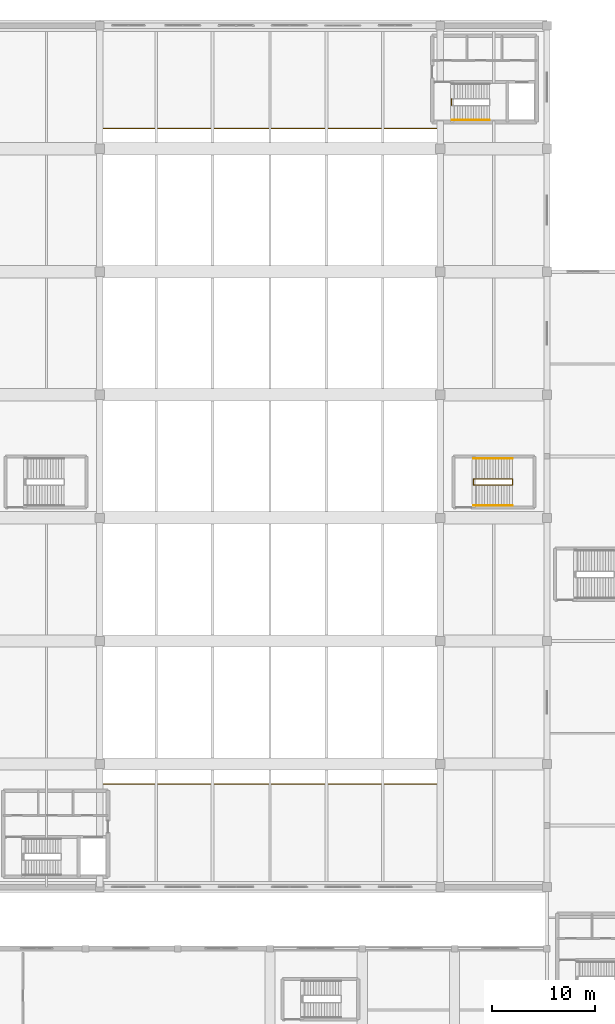
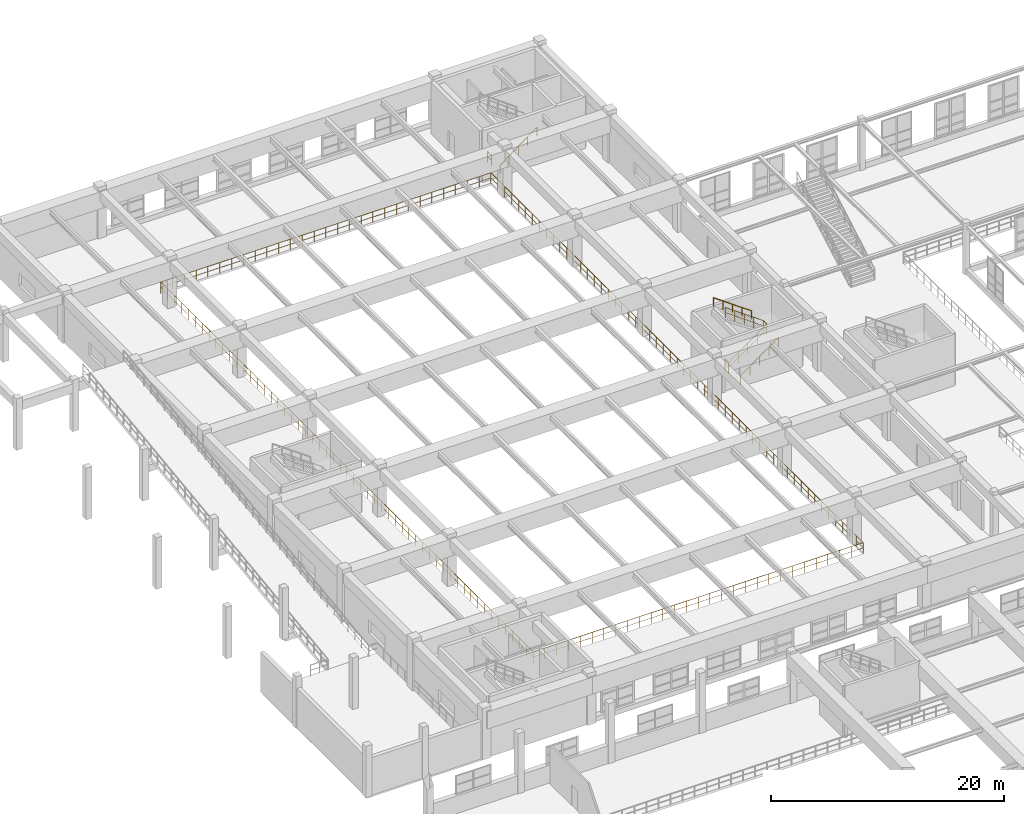
# One storey, part 191 of 197: 8 railings.
"""IFC4 building model written with IfcOpenShell, lengths in metres."""

import ifcopenshell
import ifcopenshell.guid

model = None  # the IFC model being written
_history = None  # IfcOwnerHistory: only IFC2X3 demands one
_inside = {}  # id of a spatial element -> (the spatial element, [elements in it])
_under = {}  # id of a project, library or spatial element -> (it, [spatial elements below it])
_declared = {}  # id of a project -> (the project, [libraries it declares])
_typed = {}  # id of a type object -> (the type object, [elements of that type])
_made_of = {}  # id of a material, layer set ... -> (it, [elements and type objects made of it])


def new_model(schema):
    """Start an empty IFC model of exactly this schema.

    Asked for "IFC4X3", IfcOpenShell would pick the latest addendum, in which some entities
    have other attributes; the version numbers below select the first issue.
    IFC2X3 requires an IfcOwnerHistory on every rooted entity: one is made here for all.
    """
    global model, _history
    if schema == "IFC4X3":
        model = ifcopenshell.file(schema_version=(4, 3, 0, 0))
    else:
        model = ifcopenshell.file(schema=schema)
    _inside.clear()
    _under.clear()
    _declared.clear()
    _typed.clear()
    _made_of.clear()
    _history = None
    if model.schema == "IFC2X3":
        org = make("IfcOrganization", Name="unknown")
        user = make(
            "IfcPersonAndOrganization",
            ThePerson=make("IfcPerson", FamilyName="unknown"),
            TheOrganization=org,
        )
        app = make(
            "IfcApplication",
            ApplicationDeveloper=org,
            Version="unknown",
            ApplicationFullName="unknown",
            ApplicationIdentifier="unknown",
        )
        _history = make(
            "IfcOwnerHistory",
            OwningUser=user,
            OwningApplication=app,
            ChangeAction="ADDED",
            CreationDate=0,
        )
    return model


def make(cls, **values):
    """One entity of the class cls with the attributes given. An attribute that is None is left unset."""
    return model.create_entity(
        cls, **{name: value for name, value in values.items() if value is not None}
    )


def rooted(cls, **values):
    """An entity with a GlobalId (a new one), such as an element, a storey or a relation."""
    return make(cls, GlobalId=ifcopenshell.guid.new(), OwnerHistory=_history, **values)


def si_unit(unit_type, name, prefix=None):
    """IfcSIUnit, for example si_unit("LENGTHUNIT", "METRE", prefix="MILLI")."""
    return make("IfcSIUnit", UnitType=unit_type, Prefix=prefix, Name=name)


def derived_unit(unit_type, elements):
    """IfcDerivedUnit: a product of units, each with its exponent."""
    return make(
        "IfcDerivedUnit",
        Elements=[
            make("IfcDerivedUnitElement", Unit=unit, Exponent=power)
            for unit, power in elements
        ],
        UnitType=unit_type,
    )


def assignment(units):
    """IfcUnitAssignment: the units of a project."""
    return None if units is None else make("IfcUnitAssignment", Units=units)


def point(xyz):
    """IfcCartesianPoint."""
    return None if xyz is None else make("IfcCartesianPoint", Coordinates=xyz)


def direction(xyz):
    """IfcDirection."""
    return None if xyz is None else make("IfcDirection", DirectionRatios=xyz)


def frame(location, z_axis=None, x_axis=None):
    """IfcAxis2Placement3D, a coordinate frame: its origin and axes. An axis left out is left unset."""
    return make(
        "IfcAxis2Placement3D",
        Location=point(location),
        Axis=direction(z_axis),
        RefDirection=direction(x_axis),
    )


def frame_2d(location, x_axis=None):
    """IfcAxis2Placement2D, a coordinate frame in the plane: its origin and x axis."""
    return make(
        "IfcAxis2Placement2D", Location=point(location), RefDirection=direction(x_axis)
    )


def origin():
    """The frame at (0, 0, 0) with its axes left unset."""
    return frame((0.0, 0.0, 0.0))


def origin_2d():
    """The frame at (0, 0) in the plane with its x axis left unset."""
    return frame_2d((0.0, 0.0))


def place(relative_to, where):
    """IfcLocalPlacement: puts the frame where relative to a parent placement (None: the world)."""
    return make(
        "IfcLocalPlacement", PlacementRelTo=relative_to, RelativePlacement=where
    )


def context(
    kind, dimensions, precision=None, world=None, true_north=None, identifier=None
):
    """IfcGeometricRepresentationContext, for example the 3D "Model" context."""
    return make(
        "IfcGeometricRepresentationContext",
        ContextIdentifier=identifier,
        ContextType=kind,
        CoordinateSpaceDimension=dimensions,
        Precision=precision,
        WorldCoordinateSystem=world,
        TrueNorth=true_north,
    )


def subcontext(parent, identifier, kind, view, scale=None):
    """IfcGeometricRepresentationSubContext, for example "Body" below "Model"."""
    return make(
        "IfcGeometricRepresentationSubContext",
        ContextIdentifier=identifier,
        ContextType=kind,
        ParentContext=parent,
        TargetScale=scale,
        TargetView=view,
    )


def project(units=None, contexts=None):
    """IfcProject with its units and contexts."""
    return rooted(
        "IfcProject",
        Name="project",
        RepresentationContexts=contexts,
        UnitsInContext=assignment(units),
    )


def spatial(cls, under=None, at=None, **own):
    """A site, building, storey or space (cls), placed at a placement, below another one or the project."""
    s = rooted(cls, ObjectPlacement=at, **own)
    if under is not None:
        _under.setdefault(under.id(), (under, []))[1].append(s)
    return s


def profile(cls, at=None, kind="AREA", **sizes):
    """A parametric profile (cls). Its sizes go by their IFC names, for example OverallWidth=200.0."""
    return make(cls, ProfileType=kind, Position=at, **sizes)


def circle(**sizes):
    """IfcCircleProfileDef."""
    return profile("IfcCircleProfileDef", **sizes)


def extrude(swept, where, along, depth):
    """IfcExtrudedAreaSolid: the profile swept, set in the frame where, extruded along a direction by depth."""
    return make(
        "IfcExtrudedAreaSolid",
        SweptArea=swept,
        Position=where,
        ExtrudedDirection=direction(along),
        Depth=depth,
    )


def shape(context_of_items, identifier, shape_type, items):
    """IfcShapeRepresentation: the items that make up one representation, for example the "Body"."""
    return make(
        "IfcShapeRepresentation",
        ContextOfItems=context_of_items,
        RepresentationIdentifier=identifier,
        RepresentationType=shape_type,
        Items=items,
    )


def material(Name=None, Category=None):
    """IfcMaterial."""
    return make("IfcMaterial", Name=Name, Category=Category)


def made_of(thing, what):
    """Note that an element or type object is made of a material, layer set ...; save() writes the relation."""
    if what is not None:
        _made_of.setdefault(what.id(), (what, []))[1].append(thing)
    return thing


def type_object(cls, material=None, **own):
    """A type object (cls), such as IfcWallType, which elements share."""
    return made_of(rooted(cls, **own), material)


def element(
    cls,
    number,
    at=None,
    inside=None,
    cuts=None,
    type_object=None,
    material=None,
    context=None,
    identifier="Body",
    shape_type=None,
    held_by="IfcProductDefinitionShape",
    body=None,
    shapes=None,
    **own,
):
    """One element of the class cls, such as IfcWall. Its Tag is "e" and its number.

    at: its placement. inside: the storey or other place that contains it. cuts: it is an
    opening in that element (IfcRelVoidsElement). A single representation is given by context,
    identifier, shape_type and body (its items); several are given by shapes. held_by: the class
    of the entity that holds the representations. save() writes the other relations.
    """
    e = rooted(cls, Tag="e%d" % number, ObjectPlacement=at, **own)
    if body is not None:
        shapes = [shape(context, identifier, shape_type, body)]
    if shapes is not None:
        e.Representation = make(held_by, Representations=shapes)
    if inside is not None:
        _inside.setdefault(inside.id(), (inside, []))[1].append(e)
    if cuts is not None:
        rooted(
            "IfcRelVoidsElement", RelatingBuildingElement=cuts, RelatedOpeningElement=e
        )
    if type_object is not None:
        _typed.setdefault(type_object.id(), (type_object, []))[1].append(e)
    return made_of(e, material)


def aggregate(whole, parts):
    """IfcRelAggregates: a whole, such as a stair, and the parts it consists of."""
    return rooted("IfcRelAggregates", RelatingObject=whole, RelatedObjects=parts)


def save(model, path):
    """Write the relations noted so far, then the file.

    IfcRelAggregates (storeys below a building ...), IfcRelContainedInSpatialStructure (elements
    in a storey), IfcRelDefinesByType, IfcRelAssociatesMaterial and IfcRelDeclares: one each for
    every whole, place, type object, material and project.
    """
    for whole, parts in _under.values():
        aggregate(whole, parts)
    for where, things in _inside.values():
        rooted(
            "IfcRelContainedInSpatialStructure",
            RelatedElements=things,
            RelatingStructure=where,
        )
    for kind, things in _typed.values():
        rooted("IfcRelDefinesByType", RelatedObjects=things, RelatingType=kind)
    for what, things in _made_of.values():
        rooted("IfcRelAssociatesMaterial", RelatedObjects=things, RelatingMaterial=what)
    for by, libraries in _declared.values():
        rooted("IfcRelDeclares", RelatingContext=by, RelatedDefinitions=libraries)
    model.write(path)


model = new_model("IFC4")

# Units and contexts
model_context = context("Model", 3, precision=1e-05, world=origin(), true_north=direction((0.0, 1.0)))
body_context = subcontext(model_context, "Body", "Model", "MODEL_VIEW")
ifc_project = project(units=[si_unit("LENGTHUNIT", "METRE"), si_unit("AREAUNIT", "SQUARE_METRE"), si_unit("VOLUMEUNIT", "CUBIC_METRE"), si_unit("PLANEANGLEUNIT", "RADIAN"), si_unit("MASSUNIT", "GRAM", prefix="KILO"), derived_unit("THERMALTRANSMITTANCEUNIT", [(si_unit("POWERUNIT", "WATT"), 1), (si_unit("LENGTHUNIT", "METRE"), -2), (si_unit("THERMODYNAMICTEMPERATUREUNIT", "KELVIN"), -1)])], contexts=[model_context])

# Site, building, storey
site_placement = place(None, origin())
site = spatial("IfcSite", under=ifc_project, at=site_placement, CompositionType="ELEMENT")
building_placement = place(site_placement, origin())
building = spatial("IfcBuilding", under=site, at=building_placement, Name="Almenara Railside Exhibition Hall", CompositionType="ELEMENT")
storey_placement = place(building_placement, frame((0.0, 0.0, 5.39990234375)))
storey = spatial("IfcBuildingStorey", under=building, at=storey_placement, Name="L01", CompositionType="ELEMENT", Elevation=5.39990234375)

# Railings
ifc_material_1 = material(Name="Bronze-capped laminated glass balustrade", Category="glass")
railing_type_1 = type_object("IfcRailingType", Name="Gallery Overlook Glazed Balustrade 1150mm", PredefinedType="BALUSTRADE", material=ifc_material_1)
railing_1_placement = place(storey_placement, frame((22.64990234375, 58.050048828125, 0.0)))
element("IfcRailing", 1, at=railing_1_placement, inside=storey, type_object=railing_type_1, Name="Guard balustrade 0018", PredefinedType="BALUSTRADE", context=body_context, shape_type="SweptSolid", body=[
    extrude(circle(Radius=0.02392578125, at=origin_2d()), frame((0.0, 0.0, 1.1259765625), z_axis=(1.0, 0.0, 0.0), x_axis=(0.0, 1.0, 0.0)), (0.0, 0.0, 1.0), 32.7001953125),
    extrude(circle(Radius=0.01416015625, at=origin_2d()), frame((0.0, 0.0, 0.574951171875), z_axis=(1.0, 0.0, 0.0), x_axis=(0.0, 1.0, 0.0)), (0.0, 0.0, 1.0), 32.7001953125),
    extrude(circle(Radius=0.02392578125, at=origin_2d()), frame((32.7001953125, 0.0, 1.1259765625), z_axis=(0.0, 1.0, 0.0), x_axis=(-1.0, 0.0, 0.0)), (0.0, 0.0, 1.0), 63.875),
    extrude(circle(Radius=0.01416015625, at=origin_2d()), frame((32.7001953125, 0.0, 0.574951171875), z_axis=(0.0, 1.0, 0.0), x_axis=(-1.0, 0.0, 0.0)), (0.0, 0.0, 1.0), 63.875),
    extrude(circle(Radius=0.02099609375, at=origin_2d()), origin(), (0.0, 0.0, 1.0), 1.101806640625),
    extrude(circle(Radius=0.02099609375, at=origin_2d()), frame((1.16796875, 0.0, 0.0)), (0.0, 0.0, 1.0), 1.101806640625),
    extrude(circle(Radius=0.02099609375, at=origin_2d()), frame((2.335693359375, 0.0, 0.0)), (0.0, 0.0, 1.0), 1.101806640625),
    extrude(circle(Radius=0.02099609375, at=origin_2d()), frame((3.503662109375, 0.0, 0.0)), (0.0, 0.0, 1.0), 1.101806640625),
    extrude(circle(Radius=0.02099609375, at=origin_2d()), frame((4.67138671875, 0.0, 0.0)), (0.0, 0.0, 1.0), 1.101806640625),
    extrude(circle(Radius=0.02099609375, at=origin_2d()), frame((5.83935546875, 0.0, 0.0)), (0.0, 0.0, 1.0), 1.101806640625),
    extrude(circle(Radius=0.02099609375, at=origin_2d()), frame((7.007080078125, 0.0, 0.0)), (0.0, 0.0, 1.0), 1.101806640625),
    extrude(circle(Radius=0.02099609375, at=origin_2d()), frame((8.175048828125, 0.0, 0.0)), (0.0, 0.0, 1.0), 1.101806640625),
    extrude(circle(Radius=0.02099609375, at=origin_2d()), frame((9.343017578125, 0.0, 0.0)), (0.0, 0.0, 1.0), 1.101806640625),
    extrude(circle(Radius=0.02099609375, at=origin_2d()), frame((10.5107421875, 0.0, 0.0)), (0.0, 0.0, 1.0), 1.101806640625),
    extrude(circle(Radius=0.02099609375, at=origin_2d()), frame((11.6787109375, 0.0, 0.0)), (0.0, 0.0, 1.0), 1.101806640625),
    extrude(circle(Radius=0.02099609375, at=origin_2d()), frame((12.846435546875, 0.0, 0.0)), (0.0, 0.0, 1.0), 1.101806640625),
    extrude(circle(Radius=0.02099609375, at=origin_2d()), frame((14.014404296875, 0.0, 0.0)), (0.0, 0.0, 1.0), 1.101806640625),
    extrude(circle(Radius=0.02099609375, at=origin_2d()), frame((15.18212890625, 0.0, 0.0)), (0.0, 0.0, 1.0), 1.101806640625),
    extrude(circle(Radius=0.02099609375, at=origin_2d()), frame((16.35009765625, 0.0, 0.0)), (0.0, 0.0, 1.0), 1.101806640625),
    extrude(circle(Radius=0.02099609375, at=origin_2d()), frame((17.51806640625, 0.0, 0.0)), (0.0, 0.0, 1.0), 1.101806640625),
    extrude(circle(Radius=0.02099609375, at=origin_2d()), frame((18.685791015625, 0.0, 0.0)), (0.0, 0.0, 1.0), 1.101806640625),
    extrude(circle(Radius=0.02099609375, at=origin_2d()), frame((19.853759765625, 0.0, 0.0)), (0.0, 0.0, 1.0), 1.101806640625),
    extrude(circle(Radius=0.02099609375, at=origin_2d()), frame((21.021484375, 0.0, 0.0)), (0.0, 0.0, 1.0), 1.101806640625),
    extrude(circle(Radius=0.02099609375, at=origin_2d()), frame((22.189453125, 0.0, 0.0)), (0.0, 0.0, 1.0), 1.101806640625),
    extrude(circle(Radius=0.02099609375, at=origin_2d()), frame((23.357177734375, 0.0, 0.0)), (0.0, 0.0, 1.0), 1.101806640625),
    extrude(circle(Radius=0.02099609375, at=origin_2d()), frame((24.525146484375, 0.0, 0.0)), (0.0, 0.0, 1.0), 1.101806640625),
    extrude(circle(Radius=0.02099609375, at=origin_2d()), frame((25.693115234375, 0.0, 0.0)), (0.0, 0.0, 1.0), 1.101806640625),
    extrude(circle(Radius=0.02099609375, at=origin_2d()), frame((26.86083984375, 0.0, 0.0)), (0.0, 0.0, 1.0), 1.101806640625),
    extrude(circle(Radius=0.02099609375, at=origin_2d()), frame((28.02880859375, 0.0, 0.0)), (0.0, 0.0, 1.0), 1.101806640625),
    extrude(circle(Radius=0.02099609375, at=origin_2d()), frame((29.196533203125, 0.0, 0.0)), (0.0, 0.0, 1.0), 1.101806640625),
    extrude(circle(Radius=0.02099609375, at=origin_2d()), frame((30.364501953125, 0.0, 0.0)), (0.0, 0.0, 1.0), 1.101806640625),
    extrude(circle(Radius=0.02099609375, at=origin_2d()), frame((31.5322265625, 0.0, 0.0)), (0.0, 0.0, 1.0), 1.101806640625),
    extrude(circle(Radius=0.02099609375, at=origin_2d()), frame((32.7001953125, 0.0, 0.0)), (0.0, 0.0, 1.0), 1.101806640625),
    extrude(circle(Radius=0.02099609375, at=origin_2d()), frame((32.7001953125, 1.182861328125, 0.0)), (0.0, 0.0, 1.0), 1.101806640625),
    extrude(circle(Radius=0.02099609375, at=origin_2d()), frame((32.7001953125, 2.36572265625, 0.0)), (0.0, 0.0, 1.0), 1.101806640625),
    extrude(circle(Radius=0.02099609375, at=origin_2d()), frame((32.7001953125, 3.548583984375, 0.0)), (0.0, 0.0, 1.0), 1.101806640625),
    extrude(circle(Radius=0.02099609375, at=origin_2d()), frame((32.7001953125, 4.7314453125, 0.0)), (0.0, 0.0, 1.0), 1.101806640625),
    extrude(circle(Radius=0.02099609375, at=origin_2d()), frame((32.7001953125, 5.914306640625, 0.0)), (0.0, 0.0, 1.0), 1.101806640625),
    extrude(circle(Radius=0.02099609375, at=origin_2d()), frame((32.7001953125, 7.09716796875, 0.0)), (0.0, 0.0, 1.0), 1.101806640625),
    extrude(circle(Radius=0.02099609375, at=origin_2d()), frame((32.7001953125, 8.280029296875, 0.0)), (0.0, 0.0, 1.0), 1.101806640625),
    extrude(circle(Radius=0.02099609375, at=origin_2d()), frame((32.7001953125, 9.462890625, 0.0)), (0.0, 0.0, 1.0), 1.101806640625),
    extrude(circle(Radius=0.02099609375, at=origin_2d()), frame((32.7001953125, 10.645751953125, 0.0)), (0.0, 0.0, 1.0), 1.101806640625),
    extrude(circle(Radius=0.02099609375, at=origin_2d()), frame((32.7001953125, 11.82861328125, 0.0)), (0.0, 0.0, 1.0), 1.101806640625),
    extrude(circle(Radius=0.02099609375, at=origin_2d()), frame((32.7001953125, 13.011474609375, 0.0)), (0.0, 0.0, 1.0), 1.101806640625),
    extrude(circle(Radius=0.02099609375, at=origin_2d()), frame((32.7001953125, 14.1943359375, 0.0)), (0.0, 0.0, 1.0), 1.101806640625),
    extrude(circle(Radius=0.02099609375, at=origin_2d()), frame((32.7001953125, 15.377197265625, 0.0)), (0.0, 0.0, 1.0), 1.101806640625),
    extrude(circle(Radius=0.02099609375, at=origin_2d()), frame((32.7001953125, 16.560302734375, 0.0)), (0.0, 0.0, 1.0), 1.101806640625),
    extrude(circle(Radius=0.02099609375, at=origin_2d()), frame((32.7001953125, 17.7431640625, 0.0)), (0.0, 0.0, 1.0), 1.101806640625),
    extrude(circle(Radius=0.02099609375, at=origin_2d()), frame((32.7001953125, 18.926025390625, 0.0)), (0.0, 0.0, 1.0), 1.101806640625),
    extrude(circle(Radius=0.02099609375, at=origin_2d()), frame((32.7001953125, 20.10888671875, 0.0)), (0.0, 0.0, 1.0), 1.101806640625),
    extrude(circle(Radius=0.02099609375, at=origin_2d()), frame((32.7001953125, 21.291748046875, 0.0)), (0.0, 0.0, 1.0), 1.101806640625),
    extrude(circle(Radius=0.02099609375, at=origin_2d()), frame((32.7001953125, 22.474609375, 0.0)), (0.0, 0.0, 1.0), 1.101806640625),
    extrude(circle(Radius=0.02099609375, at=origin_2d()), frame((32.7001953125, 23.657470703125, 0.0)), (0.0, 0.0, 1.0), 1.101806640625),
    extrude(circle(Radius=0.02099609375, at=origin_2d()), frame((32.7001953125, 24.84033203125, 0.0)), (0.0, 0.0, 1.0), 1.101806640625),
    extrude(circle(Radius=0.02099609375, at=origin_2d()), frame((32.7001953125, 26.023193359375, 0.0)), (0.0, 0.0, 1.0), 1.101806640625),
    extrude(circle(Radius=0.02099609375, at=origin_2d()), frame((32.7001953125, 27.2060546875, 0.0)), (0.0, 0.0, 1.0), 1.101806640625),
    extrude(circle(Radius=0.02099609375, at=origin_2d()), frame((32.7001953125, 28.388916015625, 0.0)), (0.0, 0.0, 1.0), 1.101806640625),
    extrude(circle(Radius=0.02099609375, at=origin_2d()), frame((32.7001953125, 29.57177734375, 0.0)), (0.0, 0.0, 1.0), 1.101806640625),
    extrude(circle(Radius=0.02099609375, at=origin_2d()), frame((32.7001953125, 30.754638671875, 0.0)), (0.0, 0.0, 1.0), 1.101806640625),
    extrude(circle(Radius=0.02099609375, at=origin_2d()), frame((32.7001953125, 31.9375, 0.0)), (0.0, 0.0, 1.0), 1.101806640625),
    extrude(circle(Radius=0.02099609375, at=origin_2d()), frame((32.7001953125, 33.120361328125, 0.0)), (0.0, 0.0, 1.0), 1.101806640625),
    extrude(circle(Radius=0.02099609375, at=origin_2d()), frame((32.7001953125, 34.30322265625, 0.0)), (0.0, 0.0, 1.0), 1.101806640625),
    extrude(circle(Radius=0.02099609375, at=origin_2d()), frame((32.7001953125, 35.486083984375, 0.0)), (0.0, 0.0, 1.0), 1.101806640625),
    extrude(circle(Radius=0.02099609375, at=origin_2d()), frame((32.7001953125, 36.6689453125, 0.0)), (0.0, 0.0, 1.0), 1.101806640625),
    extrude(circle(Radius=0.02099609375, at=origin_2d()), frame((32.7001953125, 37.851806640625, 0.0)), (0.0, 0.0, 1.0), 1.101806640625),
    extrude(circle(Radius=0.02099609375, at=origin_2d()), frame((32.7001953125, 39.03466796875, 0.0)), (0.0, 0.0, 1.0), 1.101806640625),
    extrude(circle(Radius=0.02099609375, at=origin_2d()), frame((32.7001953125, 40.217529296875, 0.0)), (0.0, 0.0, 1.0), 1.101806640625),
    extrude(circle(Radius=0.02099609375, at=origin_2d()), frame((32.7001953125, 41.400390625, 0.0)), (0.0, 0.0, 1.0), 1.101806640625),
    extrude(circle(Radius=0.02099609375, at=origin_2d()), frame((32.7001953125, 42.583251953125, 0.0)), (0.0, 0.0, 1.0), 1.101806640625),
    extrude(circle(Radius=0.02099609375, at=origin_2d()), frame((32.7001953125, 43.76611328125, 0.0)), (0.0, 0.0, 1.0), 1.101806640625),
    extrude(circle(Radius=0.02099609375, at=origin_2d()), frame((32.7001953125, 44.948974609375, 0.0)), (0.0, 0.0, 1.0), 1.101806640625),
    extrude(circle(Radius=0.02099609375, at=origin_2d()), frame((32.7001953125, 46.1318359375, 0.0)), (0.0, 0.0, 1.0), 1.101806640625),
    extrude(circle(Radius=0.02099609375, at=origin_2d()), frame((32.7001953125, 47.314697265625, 0.0)), (0.0, 0.0, 1.0), 1.101806640625),
    extrude(circle(Radius=0.02099609375, at=origin_2d()), frame((32.7001953125, 48.497802734375, 0.0)), (0.0, 0.0, 1.0), 1.101806640625),
    extrude(circle(Radius=0.02099609375, at=origin_2d()), frame((32.7001953125, 49.6806640625, 0.0)), (0.0, 0.0, 1.0), 1.101806640625),
    extrude(circle(Radius=0.02099609375, at=origin_2d()), frame((32.7001953125, 50.863525390625, 0.0)), (0.0, 0.0, 1.0), 1.101806640625),
    extrude(circle(Radius=0.02099609375, at=origin_2d()), frame((32.7001953125, 52.04638671875, 0.0)), (0.0, 0.0, 1.0), 1.101806640625),
    extrude(circle(Radius=0.02099609375, at=origin_2d()), frame((32.7001953125, 53.229248046875, 0.0)), (0.0, 0.0, 1.0), 1.101806640625),
    extrude(circle(Radius=0.02099609375, at=origin_2d()), frame((32.7001953125, 54.412109375, 0.0)), (0.0, 0.0, 1.0), 1.101806640625),
    extrude(circle(Radius=0.02099609375, at=origin_2d()), frame((32.7001953125, 55.594970703125, 0.0)), (0.0, 0.0, 1.0), 1.101806640625),
    extrude(circle(Radius=0.02099609375, at=origin_2d()), frame((32.7001953125, 56.77783203125, 0.0)), (0.0, 0.0, 1.0), 1.101806640625),
    extrude(circle(Radius=0.02099609375, at=origin_2d()), frame((32.7001953125, 57.960693359375, 0.0)), (0.0, 0.0, 1.0), 1.101806640625),
    extrude(circle(Radius=0.02099609375, at=origin_2d()), frame((32.7001953125, 59.1435546875, 0.0)), (0.0, 0.0, 1.0), 1.101806640625),
    extrude(circle(Radius=0.02099609375, at=origin_2d()), frame((32.7001953125, 60.326416015625, 0.0)), (0.0, 0.0, 1.0), 1.101806640625),
    extrude(circle(Radius=0.02099609375, at=origin_2d()), frame((32.7001953125, 61.50927734375, 0.0)), (0.0, 0.0, 1.0), 1.101806640625),
    extrude(circle(Radius=0.02099609375, at=origin_2d()), frame((32.7001953125, 62.692138671875, 0.0)), (0.0, 0.0, 1.0), 1.101806640625),
    extrude(circle(Radius=0.02099609375, at=origin_2d()), frame((32.7001953125, 63.875, 0.0)), (0.0, 0.0, 1.0), 1.101806640625),
])
railing_2_placement = place(storey_placement, frame((55.35009765625, 121.949951171875, 0.0)))
element("IfcRailing", 2, at=railing_2_placement, inside=storey, type_object=railing_type_1, Name="Guard balustrade 0019", PredefinedType="BALUSTRADE", context=body_context, shape_type="SweptSolid", body=[
    extrude(circle(Radius=0.02392578125, at=origin_2d()), frame((0.0, 0.0, 1.1259765625), z_axis=(-1.0, 0.0, 0.0), x_axis=(0.0, -1.0, 0.0)), (0.0, 0.0, 1.0), 32.7001953125),
    extrude(circle(Radius=0.01416015625, at=origin_2d()), frame((0.0, 0.0, 0.574951171875), z_axis=(-1.0, 0.0, 0.0), x_axis=(0.0, -1.0, 0.0)), (0.0, 0.0, 1.0), 32.7001953125),
    extrude(circle(Radius=0.02392578125, at=origin_2d()), frame((-32.7001953125, 0.0, 1.1259765625), z_axis=(0.0, -1.0, 0.0), x_axis=(1.0, 0.0, 0.0)), (0.0, 0.0, 1.0), 63.875),
    extrude(circle(Radius=0.01416015625, at=origin_2d()), frame((-32.7001953125, 0.0, 0.574951171875), z_axis=(0.0, -1.0, 0.0), x_axis=(1.0, 0.0, 0.0)), (0.0, 0.0, 1.0), 63.875),
    extrude(circle(Radius=0.02099609375, at=origin_2d()), origin(), (0.0, 0.0, 1.0), 1.101806640625),
    extrude(circle(Radius=0.02099609375, at=origin_2d()), frame((-1.16796875, 0.0, 0.0)), (0.0, 0.0, 1.0), 1.101806640625),
    extrude(circle(Radius=0.02099609375, at=origin_2d()), frame((-2.335693359375, 0.0, 0.0)), (0.0, 0.0, 1.0), 1.101806640625),
    extrude(circle(Radius=0.02099609375, at=origin_2d()), frame((-3.503662109375, 0.0, 0.0)), (0.0, 0.0, 1.0), 1.101806640625),
    extrude(circle(Radius=0.02099609375, at=origin_2d()), frame((-4.67138671875, 0.0, 0.0)), (0.0, 0.0, 1.0), 1.101806640625),
    extrude(circle(Radius=0.02099609375, at=origin_2d()), frame((-5.83935546875, 0.0, 0.0)), (0.0, 0.0, 1.0), 1.101806640625),
    extrude(circle(Radius=0.02099609375, at=origin_2d()), frame((-7.007080078125, 0.0, 0.0)), (0.0, 0.0, 1.0), 1.101806640625),
    extrude(circle(Radius=0.02099609375, at=origin_2d()), frame((-8.175048828125, 0.0, 0.0)), (0.0, 0.0, 1.0), 1.101806640625),
    extrude(circle(Radius=0.02099609375, at=origin_2d()), frame((-9.343017578125, 0.0, 0.0)), (0.0, 0.0, 1.0), 1.101806640625),
    extrude(circle(Radius=0.02099609375, at=origin_2d()), frame((-10.5107421875, 0.0, 0.0)), (0.0, 0.0, 1.0), 1.101806640625),
    extrude(circle(Radius=0.02099609375, at=origin_2d()), frame((-11.6787109375, 0.0, 0.0)), (0.0, 0.0, 1.0), 1.101806640625),
    extrude(circle(Radius=0.02099609375, at=origin_2d()), frame((-12.846435546875, 0.0, 0.0)), (0.0, 0.0, 1.0), 1.101806640625),
    extrude(circle(Radius=0.02099609375, at=origin_2d()), frame((-14.014404296875, 0.0, 0.0)), (0.0, 0.0, 1.0), 1.101806640625),
    extrude(circle(Radius=0.02099609375, at=origin_2d()), frame((-15.18212890625, 0.0, 0.0)), (0.0, 0.0, 1.0), 1.101806640625),
    extrude(circle(Radius=0.02099609375, at=origin_2d()), frame((-16.35009765625, 0.0, 0.0)), (0.0, 0.0, 1.0), 1.101806640625),
    extrude(circle(Radius=0.02099609375, at=origin_2d()), frame((-17.51806640625, 0.0, 0.0)), (0.0, 0.0, 1.0), 1.101806640625),
    extrude(circle(Radius=0.02099609375, at=origin_2d()), frame((-18.685791015625, 0.0, 0.0)), (0.0, 0.0, 1.0), 1.101806640625),
    extrude(circle(Radius=0.02099609375, at=origin_2d()), frame((-19.853759765625, 0.0, 0.0)), (0.0, 0.0, 1.0), 1.101806640625),
    extrude(circle(Radius=0.02099609375, at=origin_2d()), frame((-21.021484375, 0.0, 0.0)), (0.0, 0.0, 1.0), 1.101806640625),
    extrude(circle(Radius=0.02099609375, at=origin_2d()), frame((-22.189453125, 0.0, 0.0)), (0.0, 0.0, 1.0), 1.101806640625),
    extrude(circle(Radius=0.02099609375, at=origin_2d()), frame((-23.357177734375, 0.0, 0.0)), (0.0, 0.0, 1.0), 1.101806640625),
    extrude(circle(Radius=0.02099609375, at=origin_2d()), frame((-24.525146484375, 0.0, 0.0)), (0.0, 0.0, 1.0), 1.101806640625),
    extrude(circle(Radius=0.02099609375, at=origin_2d()), frame((-25.693115234375, 0.0, 0.0)), (0.0, 0.0, 1.0), 1.101806640625),
    extrude(circle(Radius=0.02099609375, at=origin_2d()), frame((-26.86083984375, 0.0, 0.0)), (0.0, 0.0, 1.0), 1.101806640625),
    extrude(circle(Radius=0.02099609375, at=origin_2d()), frame((-28.02880859375, 0.0, 0.0)), (0.0, 0.0, 1.0), 1.101806640625),
    extrude(circle(Radius=0.02099609375, at=origin_2d()), frame((-29.196533203125, 0.0, 0.0)), (0.0, 0.0, 1.0), 1.101806640625),
    extrude(circle(Radius=0.02099609375, at=origin_2d()), frame((-30.364501953125, 0.0, 0.0)), (0.0, 0.0, 1.0), 1.101806640625),
    extrude(circle(Radius=0.02099609375, at=origin_2d()), frame((-31.5322265625, 0.0, 0.0)), (0.0, 0.0, 1.0), 1.101806640625),
    extrude(circle(Radius=0.02099609375, at=origin_2d()), frame((-32.7001953125, 0.0, 0.0)), (0.0, 0.0, 1.0), 1.101806640625),
    extrude(circle(Radius=0.02099609375, at=origin_2d()), frame((-32.7001953125, -1.182861328125, 0.0)), (0.0, 0.0, 1.0), 1.101806640625),
    extrude(circle(Radius=0.02099609375, at=origin_2d()), frame((-32.7001953125, -2.36572265625, 0.0)), (0.0, 0.0, 1.0), 1.101806640625),
    extrude(circle(Radius=0.02099609375, at=origin_2d()), frame((-32.7001953125, -3.548583984375, 0.0)), (0.0, 0.0, 1.0), 1.101806640625),
    extrude(circle(Radius=0.02099609375, at=origin_2d()), frame((-32.7001953125, -4.7314453125, 0.0)), (0.0, 0.0, 1.0), 1.101806640625),
    extrude(circle(Radius=0.02099609375, at=origin_2d()), frame((-32.7001953125, -5.914306640625, 0.0)), (0.0, 0.0, 1.0), 1.101806640625),
    extrude(circle(Radius=0.02099609375, at=origin_2d()), frame((-32.7001953125, -7.09716796875, 0.0)), (0.0, 0.0, 1.0), 1.101806640625),
    extrude(circle(Radius=0.02099609375, at=origin_2d()), frame((-32.7001953125, -8.280029296875, 0.0)), (0.0, 0.0, 1.0), 1.101806640625),
    extrude(circle(Radius=0.02099609375, at=origin_2d()), frame((-32.7001953125, -9.462890625, 0.0)), (0.0, 0.0, 1.0), 1.101806640625),
    extrude(circle(Radius=0.02099609375, at=origin_2d()), frame((-32.7001953125, -10.645751953125, 0.0)), (0.0, 0.0, 1.0), 1.101806640625),
    extrude(circle(Radius=0.02099609375, at=origin_2d()), frame((-32.7001953125, -11.82861328125, 0.0)), (0.0, 0.0, 1.0), 1.101806640625),
    extrude(circle(Radius=0.02099609375, at=origin_2d()), frame((-32.7001953125, -13.011474609375, 0.0)), (0.0, 0.0, 1.0), 1.101806640625),
    extrude(circle(Radius=0.02099609375, at=origin_2d()), frame((-32.7001953125, -14.1943359375, 0.0)), (0.0, 0.0, 1.0), 1.101806640625),
    extrude(circle(Radius=0.02099609375, at=origin_2d()), frame((-32.7001953125, -15.377197265625, 0.0)), (0.0, 0.0, 1.0), 1.101806640625),
    extrude(circle(Radius=0.02099609375, at=origin_2d()), frame((-32.7001953125, -16.560302734375, 0.0)), (0.0, 0.0, 1.0), 1.101806640625),
    extrude(circle(Radius=0.02099609375, at=origin_2d()), frame((-32.7001953125, -17.7431640625, 0.0)), (0.0, 0.0, 1.0), 1.101806640625),
    extrude(circle(Radius=0.02099609375, at=origin_2d()), frame((-32.7001953125, -18.926025390625, 0.0)), (0.0, 0.0, 1.0), 1.101806640625),
    extrude(circle(Radius=0.02099609375, at=origin_2d()), frame((-32.7001953125, -20.10888671875, 0.0)), (0.0, 0.0, 1.0), 1.101806640625),
    extrude(circle(Radius=0.02099609375, at=origin_2d()), frame((-32.7001953125, -21.291748046875, 0.0)), (0.0, 0.0, 1.0), 1.101806640625),
    extrude(circle(Radius=0.02099609375, at=origin_2d()), frame((-32.7001953125, -22.474609375, 0.0)), (0.0, 0.0, 1.0), 1.101806640625),
    extrude(circle(Radius=0.02099609375, at=origin_2d()), frame((-32.7001953125, -23.657470703125, 0.0)), (0.0, 0.0, 1.0), 1.101806640625),
    extrude(circle(Radius=0.02099609375, at=origin_2d()), frame((-32.7001953125, -24.84033203125, 0.0)), (0.0, 0.0, 1.0), 1.101806640625),
    extrude(circle(Radius=0.02099609375, at=origin_2d()), frame((-32.7001953125, -26.023193359375, 0.0)), (0.0, 0.0, 1.0), 1.101806640625),
    extrude(circle(Radius=0.02099609375, at=origin_2d()), frame((-32.7001953125, -27.2060546875, 0.0)), (0.0, 0.0, 1.0), 1.101806640625),
    extrude(circle(Radius=0.02099609375, at=origin_2d()), frame((-32.7001953125, -28.388916015625, 0.0)), (0.0, 0.0, 1.0), 1.101806640625),
    extrude(circle(Radius=0.02099609375, at=origin_2d()), frame((-32.7001953125, -29.57177734375, 0.0)), (0.0, 0.0, 1.0), 1.101806640625),
    extrude(circle(Radius=0.02099609375, at=origin_2d()), frame((-32.7001953125, -30.754638671875, 0.0)), (0.0, 0.0, 1.0), 1.101806640625),
    extrude(circle(Radius=0.02099609375, at=origin_2d()), frame((-32.7001953125, -31.9375, 0.0)), (0.0, 0.0, 1.0), 1.101806640625),
    extrude(circle(Radius=0.02099609375, at=origin_2d()), frame((-32.7001953125, -33.120361328125, 0.0)), (0.0, 0.0, 1.0), 1.101806640625),
    extrude(circle(Radius=0.02099609375, at=origin_2d()), frame((-32.7001953125, -34.30322265625, 0.0)), (0.0, 0.0, 1.0), 1.101806640625),
    extrude(circle(Radius=0.02099609375, at=origin_2d()), frame((-32.7001953125, -35.486083984375, 0.0)), (0.0, 0.0, 1.0), 1.101806640625),
    extrude(circle(Radius=0.02099609375, at=origin_2d()), frame((-32.7001953125, -36.6689453125, 0.0)), (0.0, 0.0, 1.0), 1.101806640625),
    extrude(circle(Radius=0.02099609375, at=origin_2d()), frame((-32.7001953125, -37.851806640625, 0.0)), (0.0, 0.0, 1.0), 1.101806640625),
    extrude(circle(Radius=0.02099609375, at=origin_2d()), frame((-32.7001953125, -39.03466796875, 0.0)), (0.0, 0.0, 1.0), 1.101806640625),
    extrude(circle(Radius=0.02099609375, at=origin_2d()), frame((-32.7001953125, -40.217529296875, 0.0)), (0.0, 0.0, 1.0), 1.101806640625),
    extrude(circle(Radius=0.02099609375, at=origin_2d()), frame((-32.7001953125, -41.400390625, 0.0)), (0.0, 0.0, 1.0), 1.101806640625),
    extrude(circle(Radius=0.02099609375, at=origin_2d()), frame((-32.7001953125, -42.583251953125, 0.0)), (0.0, 0.0, 1.0), 1.101806640625),
    extrude(circle(Radius=0.02099609375, at=origin_2d()), frame((-32.7001953125, -43.76611328125, 0.0)), (0.0, 0.0, 1.0), 1.101806640625),
    extrude(circle(Radius=0.02099609375, at=origin_2d()), frame((-32.7001953125, -44.948974609375, 0.0)), (0.0, 0.0, 1.0), 1.101806640625),
    extrude(circle(Radius=0.02099609375, at=origin_2d()), frame((-32.7001953125, -46.1318359375, 0.0)), (0.0, 0.0, 1.0), 1.101806640625),
    extrude(circle(Radius=0.02099609375, at=origin_2d()), frame((-32.7001953125, -47.314697265625, 0.0)), (0.0, 0.0, 1.0), 1.101806640625),
    extrude(circle(Radius=0.02099609375, at=origin_2d()), frame((-32.7001953125, -48.497802734375, 0.0)), (0.0, 0.0, 1.0), 1.101806640625),
    extrude(circle(Radius=0.02099609375, at=origin_2d()), frame((-32.7001953125, -49.6806640625, 0.0)), (0.0, 0.0, 1.0), 1.101806640625),
    extrude(circle(Radius=0.02099609375, at=origin_2d()), frame((-32.7001953125, -50.863525390625, 0.0)), (0.0, 0.0, 1.0), 1.101806640625),
    extrude(circle(Radius=0.02099609375, at=origin_2d()), frame((-32.7001953125, -52.04638671875, 0.0)), (0.0, 0.0, 1.0), 1.101806640625),
    extrude(circle(Radius=0.02099609375, at=origin_2d()), frame((-32.7001953125, -53.229248046875, 0.0)), (0.0, 0.0, 1.0), 1.101806640625),
    extrude(circle(Radius=0.02099609375, at=origin_2d()), frame((-32.7001953125, -54.412109375, 0.0)), (0.0, 0.0, 1.0), 1.101806640625),
    extrude(circle(Radius=0.02099609375, at=origin_2d()), frame((-32.7001953125, -55.594970703125, 0.0)), (0.0, 0.0, 1.0), 1.101806640625),
    extrude(circle(Radius=0.02099609375, at=origin_2d()), frame((-32.7001953125, -56.77783203125, 0.0)), (0.0, 0.0, 1.0), 1.101806640625),
    extrude(circle(Radius=0.02099609375, at=origin_2d()), frame((-32.7001953125, -57.960693359375, 0.0)), (0.0, 0.0, 1.0), 1.101806640625),
    extrude(circle(Radius=0.02099609375, at=origin_2d()), frame((-32.7001953125, -59.1435546875, 0.0)), (0.0, 0.0, 1.0), 1.101806640625),
    extrude(circle(Radius=0.02099609375, at=origin_2d()), frame((-32.7001953125, -60.326416015625, 0.0)), (0.0, 0.0, 1.0), 1.101806640625),
    extrude(circle(Radius=0.02099609375, at=origin_2d()), frame((-32.7001953125, -61.50927734375, 0.0)), (0.0, 0.0, 1.0), 1.101806640625),
    extrude(circle(Radius=0.02099609375, at=origin_2d()), frame((-32.7001953125, -62.692138671875, 0.0)), (0.0, 0.0, 1.0), 1.101806640625),
    extrude(circle(Radius=0.02099609375, at=origin_2d()), frame((-32.7001953125, -63.875, 0.0)), (0.0, 0.0, 1.0), 1.101806640625),
])
ifc_material_2 = material(Name="Bronze-finished tubular steel handrail", Category="steel")
railing_type_2 = type_object("IfcRailingType", Name="Stair Pitch Handrail 920mm", PredefinedType="HANDRAIL", material=ifc_material_2)
railing_3_placement = place(storey_placement, frame((56.75, 122.800048828125, 0.0)))
element("IfcRailing", 3, at=railing_3_placement, inside=storey, type_object=railing_type_2, Name="HR-L01-0013", PredefinedType="HANDRAIL", context=body_context, shape_type="SweptSolid", body=[
    extrude(circle(Radius=0.02392578125, at=origin_2d()), frame((0.0, 0.0, 0.89599609375), z_axis=(0.803919029911, 0.0, 0.594738760589), x_axis=(0.0, 1.0, 0.0)), (0.0, 0.0, 1.0), 4.5400390625),
    extrude(circle(Radius=0.02099609375, at=origin_2d()), origin(), (0.0, 0.0, 1.0), 0.871826171875),
    extrude(circle(Radius=0.02099609375, at=origin_2d()), frame((0.91259765625, 0.0, 0.675048828125)), (0.0, 0.0, 1.0), 0.871826171875),
    extrude(circle(Radius=0.02099609375, at=origin_2d()), frame((1.824951171875, 0.0, 1.35009765625)), (0.0, 0.0, 1.0), 0.871826171875),
    extrude(circle(Radius=0.02099609375, at=origin_2d()), frame((2.7373046875, 0.0, 2.025146484375)), (0.0, 0.0, 1.0), 0.871826171875),
    extrude(circle(Radius=0.02099609375, at=origin_2d()), frame((3.64990234375, 0.0, 2.7001953125)), (0.0, 0.0, 1.0), 0.871826171875),
])
railing_4_placement = place(storey_placement, frame((58.85009765625, 85.199951171875, 0.0)))
element("IfcRailing", 4, at=railing_4_placement, inside=storey, type_object=railing_type_2, Name="HR-L01-0097", PredefinedType="HANDRAIL", context=body_context, shape_type="SweptSolid", body=[
    extrude(circle(Radius=0.02392578125, at=origin_2d()), frame((0.0, 0.0, 0.89599609375), z_axis=(0.813697957744, 0.0, 0.581287909356), x_axis=(0.0, 1.0, 0.0)), (0.0, 0.0, 1.0), 4.645263671875),
    extrude(circle(Radius=0.02099609375, at=origin_2d()), origin(), (0.0, 0.0, 1.0), 0.871826171875),
    extrude(circle(Radius=0.02099609375, at=origin_2d()), frame((0.94482421875, 0.0, 0.675048828125)), (0.0, 0.0, 1.0), 0.871826171875),
    extrude(circle(Radius=0.02099609375, at=origin_2d()), frame((1.889892578125, 0.0, 1.35009765625)), (0.0, 0.0, 1.0), 0.871826171875),
    extrude(circle(Radius=0.02099609375, at=origin_2d()), frame((2.8349609375, 0.0, 2.025146484375)), (0.0, 0.0, 1.0), 0.871826171875),
    extrude(circle(Radius=0.02099609375, at=origin_2d()), frame((3.77978515625, 0.0, 2.7001953125)), (0.0, 0.0, 1.0), 0.871826171875),
])
railing_5_placement = place(storey_placement, frame((62.6298828125, 89.800048828125, 2.7001953125)))
element("IfcRailing", 5, at=railing_5_placement, inside=storey, type_object=railing_type_2, Name="HR-L01-0098", PredefinedType="HANDRAIL", context=body_context, shape_type="SweptSolid", body=[
    extrude(circle(Radius=0.02392578125, at=origin_2d()), frame((0.0, 0.0, 0.89599609375), z_axis=(-0.813722817161, 0.0, 0.581253109094), x_axis=(0.0, -1.0, 0.0)), (0.0, 0.0, 1.0), 4.64501953125),
    extrude(circle(Radius=0.02099609375, at=origin_2d()), origin(), (0.0, 0.0, 1.0), 0.871826171875),
    extrude(circle(Radius=0.02099609375, at=origin_2d()), frame((-0.94482421875, 0.0, 0.675048828125)), (0.0, 0.0, 1.0), 0.871826171875),
    extrude(circle(Radius=0.02099609375, at=origin_2d()), frame((-1.889892578125, 0.0, 1.35009765625)), (0.0, 0.0, 1.0), 0.871826171875),
    extrude(circle(Radius=0.02099609375, at=origin_2d()), frame((-2.8349609375, 0.0, 2.02490234375)), (0.0, 0.0, 1.0), 0.871826171875),
    extrude(circle(Radius=0.02099609375, at=origin_2d()), frame((-3.77978515625, 0.0, 2.699951171875)), (0.0, 0.0, 1.0), 0.871826171875),
])
ifc_material_3 = material(Name="Dark wrought-iron stair balustrade")
railing_type_3 = type_object("IfcRailingType", Name="Stair Well Guard Rail 1120mm", PredefinedType="BALUSTRADE", material=ifc_material_3)
railing_6_placement = place(storey_placement, frame((56.719970703125, 124.22998046875, 0.0)))
element("IfcRailing", 6, at=railing_6_placement, inside=storey, type_object=railing_type_3, Name="SG-L01-0012", PredefinedType="BALUSTRADE", context=body_context, shape_type="SweptSolid", body=[
    extrude(circle(Radius=0.02392578125, at=origin_2d()), frame((0.0, 0.0, 1.09619140625), z_axis=(0.0, 1.0, 0.0), x_axis=(-1.0, 0.0, 0.0)), (0.0, 0.0, 1.0), 0.64013671875),
    extrude(circle(Radius=0.01416015625, at=origin_2d()), frame((0.0, 0.0, 0.56005859375), z_axis=(0.0, 1.0, 0.0), x_axis=(-1.0, 0.0, 0.0)), (0.0, 0.0, 1.0), 0.64013671875),
    extrude(circle(Radius=0.02099609375, at=origin_2d()), origin(), (0.0, 0.0, 1.0), 1.072021484375),
    extrude(circle(Radius=0.02099609375, at=origin_2d()), frame((0.0, 0.64013671875, 0.0)), (0.0, 0.0, 1.0), 1.072021484375),
])
railing_7_placement = place(storey_placement, frame((58.820068359375, 87.2099609375, 0.0)))
element("IfcRailing", 7, at=railing_7_placement, inside=storey, type_object=railing_type_3, Name="SG-L01-0096", PredefinedType="BALUSTRADE", context=body_context, shape_type="SweptSolid", body=[
    extrude(circle(Radius=0.02392578125, at=origin_2d()), frame((0.0, 0.0, 1.09619140625), z_axis=(0.0, 1.0, 0.0), x_axis=(-1.0, 0.0, 0.0)), (0.0, 0.0, 1.0), 0.580078125),
    extrude(circle(Radius=0.01416015625, at=origin_2d()), frame((0.0, 0.0, 0.56005859375), z_axis=(0.0, 1.0, 0.0), x_axis=(-1.0, 0.0, 0.0)), (0.0, 0.0, 1.0), 0.580078125),
    extrude(circle(Radius=0.02099609375, at=origin_2d()), origin(), (0.0, 0.0, 1.0), 1.072021484375),
    extrude(circle(Radius=0.02099609375, at=origin_2d()), frame((0.0, 0.580078125, 0.0)), (0.0, 0.0, 1.0), 1.072021484375),
])
railing_8_placement = place(storey_placement, frame((58.85009765625, 87.2099609375, 0.0)))
element("IfcRailing", 8, at=railing_8_placement, inside=storey, type_object=railing_type_3, Name="SG-L01-0099", PredefinedType="BALUSTRADE", context=body_context, shape_type="SweptSolid", body=[
    extrude(circle(Radius=0.02392578125, at=origin_2d()), frame((0.0, 0.0, 1.09619140625), z_axis=(0.813697957744, 0.0, 0.581287909356), x_axis=(0.0, 1.0, 0.0)), (0.0, 0.0, 1.0), 4.645263671875),
    extrude(circle(Radius=0.01416015625, at=origin_2d()), frame((0.0, 0.0, 0.56005859375), z_axis=(0.813697957744, 0.0, 0.581287909356), x_axis=(0.0, 1.0, 0.0)), (0.0, 0.0, 1.0), 4.645263671875),
    extrude(circle(Radius=0.02392578125, at=origin_2d()), frame((3.77978515625, 0.0, 3.79638671875), z_axis=(0.0, 1.0, 0.0), x_axis=(-1.0, 0.0, 0.0)), (0.0, 0.0, 1.0), 0.580078125),
    extrude(circle(Radius=0.01416015625, at=origin_2d()), frame((3.77978515625, 0.0, 3.26025390625), z_axis=(0.0, 1.0, 0.0), x_axis=(-1.0, 0.0, 0.0)), (0.0, 0.0, 1.0), 0.580078125),
    extrude(circle(Radius=0.02392578125, at=origin_2d()), frame((3.77978515625, 0.580078125, 3.79638671875), z_axis=(-0.813722817161, 0.0, 0.581253109094), x_axis=(0.0, -1.0, 0.0)), (0.0, 0.0, 1.0), 4.64501953125),
    extrude(circle(Radius=0.01416015625, at=origin_2d()), frame((3.77978515625, 0.580078125, 3.26025390625), z_axis=(-0.813722817161, 0.0, 0.581253109094), x_axis=(0.0, -1.0, 0.0)), (0.0, 0.0, 1.0), 4.64501953125),
    extrude(circle(Radius=0.02099609375, at=origin_2d()), origin(), (0.0, 0.0, 1.0), 1.072021484375),
    extrude(circle(Radius=0.02099609375, at=origin_2d()), frame((0.94482421875, 0.0, 0.675048828125)), (0.0, 0.0, 1.0), 1.072021484375),
    extrude(circle(Radius=0.02099609375, at=origin_2d()), frame((1.889892578125, 0.0, 1.35009765625)), (0.0, 0.0, 1.0), 1.072021484375),
    extrude(circle(Radius=0.02099609375, at=origin_2d()), frame((2.8349609375, 0.0, 2.025146484375)), (0.0, 0.0, 1.0), 1.072021484375),
    extrude(circle(Radius=0.02099609375, at=origin_2d()), frame((3.77978515625, 0.0, 2.7001953125)), (0.0, 0.0, 1.0), 1.072021484375),
    extrude(circle(Radius=0.02099609375, at=origin_2d()), frame((3.77978515625, 0.580078125, 2.7001953125)), (0.0, 0.0, 1.0), 1.072021484375),
    extrude(circle(Radius=0.02099609375, at=origin_2d()), frame((2.8349609375, 0.580078125, 3.375244140625)), (0.0, 0.0, 1.0), 1.072021484375),
    extrude(circle(Radius=0.02099609375, at=origin_2d()), frame((1.889892578125, 0.580078125, 4.05029296875)), (0.0, 0.0, 1.0), 1.072021484375),
    extrude(circle(Radius=0.02099609375, at=origin_2d()), frame((0.94482421875, 0.580078125, 4.72509765625)), (0.0, 0.0, 1.0), 1.072021484375),
    extrude(circle(Radius=0.02099609375, at=origin_2d()), frame((0.0, 0.580078125, 5.400146484375)), (0.0, 0.0, 1.0), 1.072021484375),
])

save(model, "model.ifc")
